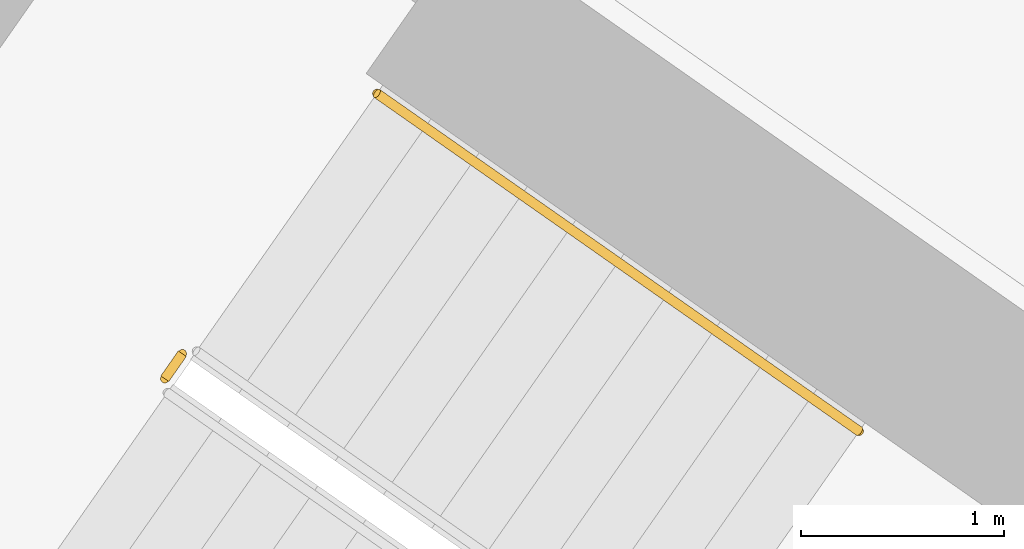
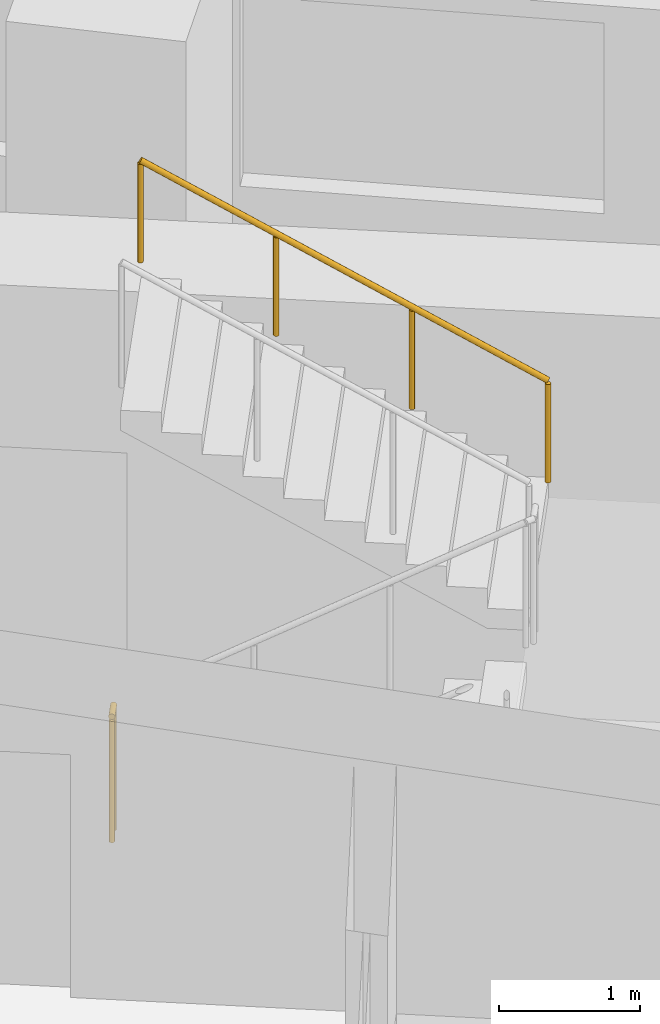
# One storey, part 27 of 31: 2 railings.
"""IFC4 building model written with IfcOpenShell, lengths in metres."""

from ifc_helpers import new_model, si_unit, direction, frame, origin, origin_2d, place, context, subcontext, project, spatial, circle, extrude, material, type_object, element, save


model = new_model("IFC4")

# Units and contexts
model_context = context("Model", 3, precision=1e-05, world=origin(), true_north=direction((0.0, 1.0)))
body_context = subcontext(model_context, "Body", "Model", "MODEL_VIEW")
ifc_project = project(units=[si_unit("LENGTHUNIT", "METRE"), si_unit("AREAUNIT", "SQUARE_METRE"), si_unit("VOLUMEUNIT", "CUBIC_METRE"), si_unit("PLANEANGLEUNIT", "RADIAN"), si_unit("MASSUNIT", "GRAM", prefix="KILO")], contexts=[model_context])

# Site, building, storey
site_placement = place(None, origin())
site = spatial("IfcSite", under=ifc_project, at=site_placement, CompositionType="ELEMENT")
building_placement = place(site_placement, origin())
building = spatial("IfcBuilding", under=site, at=building_placement, Name="Qamariyya Broadcast Tower", CompositionType="ELEMENT")
storey_placement = place(building_placement, frame((0.0, 0.0, 82.300048828125)))
storey = spatial("IfcBuildingStorey", under=building, at=storey_placement, Name="L17", CompositionType="ELEMENT", Elevation=82.300048828125)

# Railings
ifc_material_1 = material(Name="Painted steel", Category="steel")
railing_type_1 = type_object("IfcRailingType", Name="Stair guard", PredefinedType="GUARDRAIL", material=ifc_material_1)
railing_1_placement = place(storey_placement, frame((-41.158935546875, -48.455322265625, 0.0)))
element("IfcRailing", 1, at=railing_1_placement, inside=storey, type_object=railing_type_1, Name="L17 ST-W2 stair guard 3", PredefinedType="GUARDRAIL", context=body_context, shape_type="SweptSolid", body=[
    extrude(circle(Radius=0.02392578125, at=origin_2d()), frame((0.0, 0.0, 1.076171875), z_axis=(0.572588637393, 0.819842821722, 0.0), x_axis=(-0.819842821722, 0.572588637393, 0.0)), (0.0, 0.0, 1.0), 0.150146484375),
    extrude(circle(Radius=0.02099609375, at=origin_2d()), origin(), (0.0, 0.0, 1.0), 1.052001953125),
    extrude(circle(Radius=0.02099609375, at=origin_2d()), frame((0.0859375, 0.123046875, 0.0)), (0.0, 0.0, 1.0), 1.052001953125),
])
ifc_material_2 = material(Name="Stainless steel", Category="steel")
railing_type_2 = type_object("IfcRailingType", Name="Stair handrail", PredefinedType="HANDRAIL", material=ifc_material_2)
railing_2_placement = place(storey_placement, frame((-37.73876953125, -48.7138671875, 2.07275390625)))
element("IfcRailing", 2, at=railing_2_placement, inside=storey, type_object=railing_type_2, Name="L17 ST-W2 stair handrail 2", PredefinedType="HANDRAIL", context=body_context, shape_type="SweptSolid", body=[
    extrude(circle(Radius=0.02392578125, at=origin_2d()), frame((0.0, 0.0, 0.8759765625), z_axis=(-0.703745009021, 0.492838488332, 0.511715923826), x_axis=(-0.573631830683, -0.819113253969, 0.0)), (0.0, 0.0, 1.0), 3.37548828125),
    extrude(circle(Radius=0.02099609375, at=origin_2d()), origin(), (0.0, 0.0, 1.0), 0.851806640625),
    extrude(circle(Radius=0.02099609375, at=origin_2d()), frame((-0.791748046875, 0.554443359375, 0.57568359375)), (0.0, 0.0, 1.0), 0.851806640625),
    extrude(circle(Radius=0.02099609375, at=origin_2d()), frame((-1.583740234375, 1.109130859375, 1.151611328125)), (0.0, 0.0, 1.0), 0.851806640625),
    extrude(circle(Radius=0.02099609375, at=origin_2d()), frame((-2.37548828125, 1.66357421875, 1.727294921875)), (0.0, 0.0, 1.0), 0.851806640625),
])

save(model, "model.ifc")
